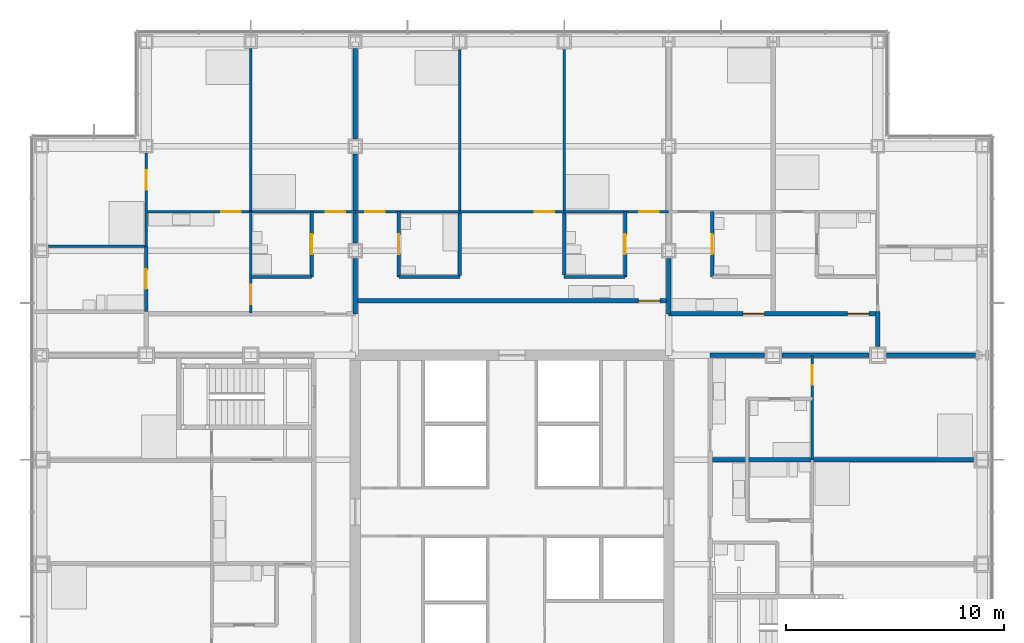
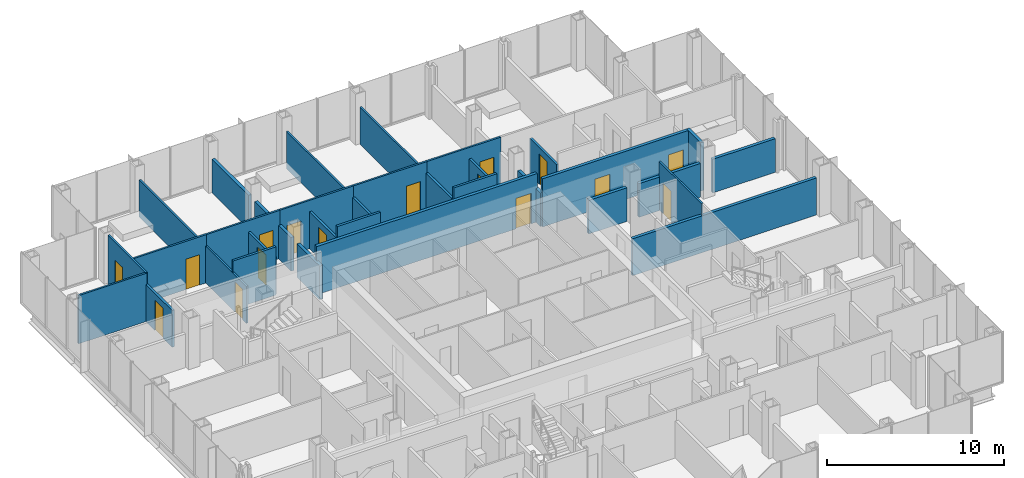
# One storey, part 17 of 21: 33 walls, 16 doors, 16 openings.
"""IFC4 building model written with IfcOpenShell, lengths in metres."""

from ifc_helpers import new_model, si_unit, direction, frame, frame_2d, origin, place, context, subcontext, project, spatial, rectangle, extrude, material, layer, layer_set, type_object, element, fill, save


model = new_model("IFC4")

# Units and contexts
model_context = context("Model", 3, precision=1e-05, world=origin(), true_north=direction((0.0, 1.0)))
body_context = subcontext(model_context, "Body", "Model", "MODEL_VIEW")
ifc_project = project(units=[si_unit("LENGTHUNIT", "METRE"), si_unit("AREAUNIT", "SQUARE_METRE"), si_unit("VOLUMEUNIT", "CUBIC_METRE"), si_unit("PLANEANGLEUNIT", "RADIAN"), si_unit("MASSUNIT", "GRAM", prefix="KILO")], contexts=[model_context])

# Site, building, storey
site_placement = place(None, origin())
site = spatial("IfcSite", under=ifc_project, at=site_placement, CompositionType="ELEMENT")
building_placement = place(site_placement, origin())
building = spatial("IfcBuilding", under=site, at=building_placement, Name="Kvirike Care Tower", CompositionType="ELEMENT")
storey_placement = place(building_placement, frame((0.0, 0.0, 44.5)))
storey = spatial("IfcBuildingStorey", under=building, at=storey_placement, Name="L11", CompositionType="ELEMENT", Elevation=44.5)

# Wall, opening, door
ifc_material_1 = material(Name="Moisture-resistant board partition", Category="gypsum")
ifc_layer_1 = layer(ifc_material_1, 0.14990234375)
ifc_layer_set_1 = layer_set([ifc_layer_1], Name="BATHROOM WALL 150")
wall_type_1 = type_object("IfcWallType", Name="BATHROOM WALL 150", PredefinedType="PARTITIONING", material=ifc_layer_set_1)
wall_1_placement = place(storey_placement, frame((12.39990234375, 49.800048828125, 0.0), z_axis=(0.0, 0.0, 1.0), x_axis=(0.0, -1.0, 0.0)))
wall_1 = element("IfcWall", 1, at=wall_1_placement, inside=storey, type_object=wall_type_1, Name="Bathroom Wall 150 L11", PredefinedType="PARTITIONING", context=body_context, shape_type="SweptSolid", body=[
    extrude(rectangle(XDim=3.0, YDim=0.14990234375, at=frame_2d((1.5, 0.0))), origin(), (0.0, 0.0, 1.0), 2.550048828125),
])
opening_1_placement = place(wall_1_placement, frame((1.050048828125, 0.0, 0.0)))
opening_1 = element("IfcOpeningElement", 2, at=opening_1_placement, cuts=wall_1, Name="Opening 11-017", PredefinedType="OPENING", context=body_context, shape_type="SweptSolid", body=[
    extrude(rectangle(XDim=0.89990234375, YDim=2.10009765625, at=frame_2d((0.449951171875, 1.050048828125))), frame((0.0, 0.08544921875, 0.0), z_axis=(0.0, -1.0, 0.0), x_axis=(1.0, 0.0, 0.0)), (0.0, 0.0, 1.0), 0.1708984375),
])
ifc_material_2 = material(Name="Timber door set", Category="wood")
door_type_1 = type_object("IfcDoorType", Name="BATHROOM DOOR 900", OperationType="SINGLE_SWING_RIGHT", PredefinedType="DOOR", material=ifc_material_2)
door_1_placement = place(opening_1_placement, frame((0.89990234375, 0.0, 0.0), z_axis=(0.0, 0.0, 1.0), x_axis=(-1.0, 0.0, 0.0)))
door_1 = element("IfcDoor", 3, at=door_1_placement, inside=storey, type_object=door_type_1, Name="Shower room door", OperationType="SINGLE_SWING_RIGHT", OverallHeight=2.10009765625, OverallWidth=0.89990234375, PredefinedType="DOOR", context=body_context, shape_type="SweptSolid", body=[
    extrude(rectangle(XDim=0.89990234375, YDim=2.10009765625, at=frame_2d((0.449951171875, 1.050048828125))), frame((0.0, 0.02197265625, 0.0), z_axis=(0.0, -1.0, 0.0), x_axis=(1.0, 0.0, 0.0)), (0.0, 0.0, 1.0), 0.0439453125),
])
fill(opening_1, door_1)

# Wall
wall_2_placement = place(storey_placement, frame((12.39990234375, 46.800048828125, 0.0), z_axis=(0.0, 0.0, 1.0), x_axis=(-1.0, 0.0, 0.0)))
element("IfcWall", 4, at=wall_2_placement, inside=storey, type_object=wall_type_1, Name="Bathroom Wall 150 L11", PredefinedType="PARTITIONING", context=body_context, shape_type="SweptSolid", body=[
    extrude(rectangle(XDim=2.7998046875, YDim=0.14990234375, at=frame_2d((1.39990234375, 0.0))), origin(), (0.0, 0.0, 1.0), 3.330078125),
])

# Wall, opening, door
wall_3_placement = place(storey_placement, frame((4.800048828125, 48.199951171875, 0.0), z_axis=(0.0, 0.0, 1.0), x_axis=(0.0, -1.0, 0.0)))
wall_3 = element("IfcWall", 5, at=wall_3_placement, inside=storey, type_object=wall_type_1, Name="Bathroom Wall 150 L11", PredefinedType="PARTITIONING", context=body_context, shape_type="SweptSolid", body=[
    extrude(rectangle(XDim=3.0, YDim=0.14990234375, at=frame_2d((1.5, 0.0))), origin(), (0.0, 0.0, 1.0), 2.550048828125),
])
opening_2_placement = place(wall_3_placement, frame((1.050048828125, 0.0, 0.0)))
opening_2 = element("IfcOpeningElement", 6, at=opening_2_placement, cuts=wall_3, Name="Opening 11-018", PredefinedType="OPENING", context=body_context, shape_type="SweptSolid", body=[
    extrude(rectangle(XDim=0.89990234375, YDim=2.10009765625, at=frame_2d((0.449951171875, 1.050048828125))), frame((0.0, 0.08544921875, 0.0), z_axis=(0.0, -1.0, 0.0), x_axis=(1.0, 0.0, 0.0)), (0.0, 0.0, 1.0), 0.1708984375),
])
door_2_placement = place(opening_2_placement, frame((0.89990234375, 0.0, 0.0), z_axis=(0.0, 0.0, 1.0), x_axis=(-1.0, 0.0, 0.0)))
door_2 = element("IfcDoor", 7, at=door_2_placement, inside=storey, type_object=door_type_1, Name="Bathroom door", OperationType="SINGLE_SWING_LEFT", OverallHeight=2.10009765625, OverallWidth=0.89990234375, PredefinedType="DOOR", context=body_context, shape_type="SweptSolid", body=[
    extrude(rectangle(XDim=0.89990234375, YDim=2.10009765625, at=frame_2d((0.449951171875, 1.050048828125))), frame((0.0, 0.02197265625, 0.0), z_axis=(0.0, -1.0, 0.0), x_axis=(1.0, 0.0, 0.0)), (0.0, 0.0, 1.0), 0.0439453125),
])
fill(opening_2, door_2)

wall_4_placement = place(storey_placement, frame((26.800048828125, 49.800048828125, 0.0), z_axis=(0.0, 0.0, 1.0), x_axis=(0.0, -1.0, 0.0)))
wall_4 = element("IfcWall", 8, at=wall_4_placement, inside=storey, type_object=wall_type_1, Name="Bathroom Wall 150 L11", PredefinedType="PARTITIONING", context=body_context, shape_type="SweptSolid", body=[
    extrude(rectangle(XDim=3.0, YDim=0.14990234375, at=frame_2d((1.5, 0.0))), origin(), (0.0, 0.0, 1.0), 2.550048828125),
])
opening_3_placement = place(wall_4_placement, frame((1.050048828125, 0.0, 0.0)))
opening_3 = element("IfcOpeningElement", 9, at=opening_3_placement, cuts=wall_4, Name="Opening 11-033", PredefinedType="OPENING", context=body_context, shape_type="SweptSolid", body=[
    extrude(rectangle(XDim=0.89990234375, YDim=2.10009765625, at=frame_2d((0.449951171875, 1.050048828125))), frame((0.0, 0.08544921875, 0.0), z_axis=(0.0, -1.0, 0.0), x_axis=(1.0, 0.0, 0.0)), (0.0, 0.0, 1.0), 0.1708984375),
])
door_3_placement = place(opening_3_placement, frame((0.89990234375, 0.0, 0.0), z_axis=(0.0, 0.0, 1.0), x_axis=(-1.0, 0.0, 0.0)))
door_3 = element("IfcDoor", 10, at=door_3_placement, inside=storey, type_object=door_type_1, Name="Shower room door", OperationType="SINGLE_SWING_LEFT", OverallHeight=2.10009765625, OverallWidth=0.89990234375, PredefinedType="DOOR", context=body_context, shape_type="SweptSolid", body=[
    extrude(rectangle(XDim=0.89990234375, YDim=2.10009765625, at=frame_2d((0.449951171875, 1.050048828125))), frame((0.0, 0.02197265625, 0.0), z_axis=(0.0, -1.0, 0.0), x_axis=(1.0, 0.0, 0.0)), (0.0, 0.0, 1.0), 0.0439453125),
])
fill(opening_3, door_3)

# Wall
wall_5_placement = place(storey_placement, frame((26.800048828125, 46.800048828125, 0.0), z_axis=(0.0, 0.0, 1.0), x_axis=(-1.0, 0.0, 0.0)))
element("IfcWall", 11, at=wall_5_placement, inside=storey, type_object=wall_type_1, Name="Bathroom Wall 150 L11", PredefinedType="PARTITIONING", context=body_context, shape_type="SweptSolid", body=[
    extrude(rectangle(XDim=2.800048828125, YDim=0.14990234375, at=frame_2d((1.39990234375, 0.0))), origin(), (0.0, 0.0, 1.0), 3.330078125),
])

# Wall, opening, door
wall_6_placement = place(storey_placement, frame((16.39990234375, 49.800048828125, 0.0), z_axis=(0.0, 0.0, 1.0), x_axis=(0.0, -1.0, 0.0)))
wall_6 = element("IfcWall", 12, at=wall_6_placement, inside=storey, type_object=wall_type_1, Name="Bathroom Wall 150 L11", PredefinedType="PARTITIONING", context=body_context, shape_type="SweptSolid", body=[
    extrude(rectangle(XDim=3.0, YDim=0.14990234375, at=frame_2d((1.5, 0.0))), origin(), (0.0, 0.0, 1.0), 2.550048828125),
])
opening_4_placement = place(wall_6_placement, frame((1.050048828125, 0.0, 0.0)))
opening_4 = element("IfcOpeningElement", 13, at=opening_4_placement, cuts=wall_6, Name="Opening 11-034", PredefinedType="OPENING", context=body_context, shape_type="SweptSolid", body=[
    extrude(rectangle(XDim=0.89990234375, YDim=2.10009765625, at=frame_2d((0.449951171875, 1.050048828125))), frame((0.0, 0.08544921875, 0.0), z_axis=(0.0, -1.0, 0.0), x_axis=(1.0, 0.0, 0.0)), (0.0, 0.0, 1.0), 0.1708984375),
])
door_4_placement = place(opening_4_placement, origin())
door_4 = element("IfcDoor", 14, at=door_4_placement, inside=storey, type_object=door_type_1, Name="Bathroom door", OperationType="SINGLE_SWING_LEFT", OverallHeight=2.10009765625, OverallWidth=0.89990234375, PredefinedType="DOOR", context=body_context, shape_type="SweptSolid", body=[
    extrude(rectangle(XDim=0.89990234375, YDim=2.10009765625, at=frame_2d((0.449951171875, 1.050048828125))), frame((0.0, 0.02197265625, 0.0), z_axis=(0.0, -1.0, 0.0), x_axis=(1.0, 0.0, 0.0)), (0.0, 0.0, 1.0), 0.0439453125),
])
fill(opening_4, door_4)

# Wall
wall_7_placement = place(storey_placement, frame((19.199951171875, 46.800048828125, 0.0), z_axis=(0.0, 0.0, 1.0), x_axis=(-1.0, 0.0, 0.0)))
element("IfcWall", 15, at=wall_7_placement, inside=storey, type_object=wall_type_1, Name="Bathroom Wall 150 L11", PredefinedType="PARTITIONING", context=body_context, shape_type="SweptSolid", body=[
    extrude(rectangle(XDim=2.800048828125, YDim=0.14990234375, at=frame_2d((1.39990234375, 0.0))), origin(), (0.0, 0.0, 1.0), 3.330078125),
])

# Wall, opening, door
wall_8_placement = place(storey_placement, frame((30.800048828125, 49.800048828125, 0.0), z_axis=(0.0, 0.0, 1.0), x_axis=(0.0, -1.0, 0.0)))
wall_8 = element("IfcWall", 16, at=wall_8_placement, inside=storey, type_object=wall_type_1, Name="Bathroom Wall 150 L11", PredefinedType="PARTITIONING", context=body_context, shape_type="SweptSolid", body=[
    extrude(rectangle(XDim=3.0, YDim=0.14990234375, at=frame_2d((1.5, 0.0))), origin(), (0.0, 0.0, 1.0), 2.550048828125),
])
opening_5_placement = place(wall_8_placement, frame((1.050048828125, 0.0, 0.0)))
opening_5 = element("IfcOpeningElement", 17, at=opening_5_placement, cuts=wall_8, Name="Opening 11-060", PredefinedType="OPENING", context=body_context, shape_type="SweptSolid", body=[
    extrude(rectangle(XDim=0.89990234375, YDim=2.10009765625, at=frame_2d((0.449951171875, 1.050048828125))), frame((0.0, 0.08544921875, 0.0), z_axis=(0.0, -1.0, 0.0), x_axis=(1.0, 0.0, 0.0)), (0.0, 0.0, 1.0), 0.1708984375),
])
door_5_placement = place(opening_5_placement, origin())
door_5 = element("IfcDoor", 18, at=door_5_placement, inside=storey, type_object=door_type_1, Name="Bathroom door", OperationType="SINGLE_SWING_LEFT", OverallHeight=2.10009765625, OverallWidth=0.89990234375, PredefinedType="DOOR", context=body_context, shape_type="SweptSolid", body=[
    extrude(rectangle(XDim=0.89990234375, YDim=2.10009765625, at=frame_2d((0.449951171875, 1.050048828125))), frame((0.0, 0.02197265625, 0.0), z_axis=(0.0, -1.0, 0.0), x_axis=(1.0, 0.0, 0.0)), (0.0, 0.0, 1.0), 0.0439453125),
])
fill(opening_5, door_5)

# Walls
for number, where, z_axis, x_axis, name in (
    (19, (24.0, 46.875, 0.0), (0.0, 0.0, 1.0), (0.0, 1.0, 0.0), "Bathroom Wall 150 L11"),
    (20, (19.199951171875, 49.739990234375, 0.0), (0.0, 0.0, 1.0), (0.0, -1.0, 0.0), "Bathroom Wall 150 L11"),
):
    element("IfcWall", number, at=place(storey_placement, frame(where, z_axis=z_axis, x_axis=x_axis)), inside=storey, type_object=wall_type_1, Name=name, PredefinedType="PARTITIONING", context=body_context, shape_type="SweptSolid", body=[
        extrude(rectangle(XDim=2.864990234375, YDim=0.14990234375, at=frame_2d((1.4326171875, 0.0))), origin(), (0.0, 0.0, 1.0), 2.550048828125),
    ])

# Wall, opening, door
ifc_material_3 = material(Name="Plasterboard corridor wall", Category="gypsum")
ifc_layer_2 = layer(ifc_material_3, 0.199951171875)
ifc_layer_set_2 = layer_set([ifc_layer_2], Name="CORRIDOR WALL 200")
wall_type_2 = type_object("IfcWallType", Name="CORRIDOR WALL 200", PredefinedType="PARTITIONING", material=ifc_layer_set_2)
wall_9_placement = place(storey_placement, frame((28.800048828125, 45.699951171875, 0.0), z_axis=(0.0, 0.0, 1.0), x_axis=(-1.0, 0.0, 0.0)))
wall_9 = element("IfcWall", 21, at=wall_9_placement, inside=storey, type_object=wall_type_2, Name="Corridor Wall 200 L11", PredefinedType="PARTITIONING", context=body_context, shape_type="SweptSolid", body=[
    extrude(rectangle(XDim=14.400146484375, YDim=0.199951171875, at=frame_2d((7.2001953125, 0.0))), origin(), (0.0, 0.0, 1.0), 3.330078125),
])
opening_6_placement = place(wall_9_placement, frame((0.39990234375, 0.0, 0.0)))
opening_6 = element("IfcOpeningElement", 22, at=opening_6_placement, cuts=wall_9, Name="Opening 11-038", PredefinedType="OPENING", context=body_context, shape_type="SweptSolid", body=[
    extrude(rectangle(XDim=1.0, YDim=2.10009765625, at=frame_2d((0.5, 1.050048828125))), frame((0.0, 0.110595703125, 0.0), z_axis=(0.0, -1.0, 0.0), x_axis=(1.0, 0.0, 0.0)), (0.0, 0.0, 1.0), 0.220947265625),
])
ifc_material_4 = material(Name="Timber door set", Category="wood")
door_type_2 = type_object("IfcDoorType", Name="FLAT ENTRANCE DOOR 1000", OperationType="SINGLE_SWING_LEFT", PredefinedType="DOOR", material=ifc_material_4)
door_6_placement = place(opening_6_placement, frame((1.0, 0.0, 0.0), z_axis=(0.0, 0.0, 1.0), x_axis=(-1.0, 0.0, 0.0)))
door_6 = element("IfcDoor", 23, at=door_6_placement, inside=storey, type_object=door_type_2, Name="Two-bedroom apartment entrance", OperationType="SINGLE_SWING_LEFT", OverallHeight=2.10009765625, OverallWidth=1.0, PredefinedType="DOOR", context=body_context, shape_type="SweptSolid", body=[
    extrude(rectangle(XDim=1.0, YDim=2.10009765625, at=frame_2d((0.5, 1.050048828125))), frame((0.0, 0.02685546875, 0.0), z_axis=(0.0, -1.0, 0.0), x_axis=(1.0, 0.0, 0.0)), (0.0, 0.0, 1.0), 0.053955078125),
])
fill(opening_6, door_6)

# Wall, openings, doors
wall_10_placement = place(storey_placement, frame((38.39990234375, 45.10009765625, 0.0), z_axis=(0.0, 0.0, 1.0), x_axis=(-1.0, 0.0, 0.0)))
wall_10 = element("IfcWall", 24, at=wall_10_placement, inside=storey, type_object=wall_type_2, Name="Corridor Wall 200 L11", PredefinedType="PARTITIONING", context=body_context, shape_type="SweptSolid", body=[
    extrude(rectangle(XDim=9.599853515625, YDim=0.199951171875, at=frame_2d((4.7998046875, 0.0))), origin(), (0.0, 0.0, 1.0), 3.330078125),
])
opening_7_placement = place(wall_10_placement, frame((0.39990234375, 0.0, 0.0)))
opening_7 = element("IfcOpeningElement", 25, at=opening_7_placement, cuts=wall_10, Name="Opening 11-062", PredefinedType="OPENING", context=body_context, shape_type="SweptSolid", body=[
    extrude(rectangle(XDim=1.0, YDim=2.10009765625, at=frame_2d((0.5, 1.050048828125))), frame((0.0, 0.110595703125, 0.0), z_axis=(0.0, -1.0, 0.0), x_axis=(1.0, 0.0, 0.0)), (0.0, 0.0, 1.0), 0.220947265625),
])
opening_8_placement = place(wall_10_placement, frame((5.199951171875, 0.0, 0.0)))
opening_8 = element("IfcOpeningElement", 26, at=opening_8_placement, cuts=wall_10, Name="Opening 11-063", PredefinedType="OPENING", context=body_context, shape_type="SweptSolid", body=[
    extrude(rectangle(XDim=1.0, YDim=2.10009765625, at=frame_2d((0.5, 1.050048828125))), frame((0.0, 0.110595703125, 0.0), z_axis=(0.0, -1.0, 0.0), x_axis=(1.0, 0.0, 0.0)), (0.0, 0.0, 1.0), 0.220947265625),
])
door_7_placement = place(opening_7_placement, frame((1.0, 0.0, 0.0), z_axis=(0.0, 0.0, 1.0), x_axis=(-1.0, 0.0, 0.0)))
door_7 = element("IfcDoor", 27, at=door_7_placement, inside=storey, type_object=door_type_2, Name="One-bedroom apartment entrance", OperationType="SINGLE_SWING_LEFT", OverallHeight=2.10009765625, OverallWidth=1.0, PredefinedType="DOOR", context=body_context, shape_type="SweptSolid", body=[
    extrude(rectangle(XDim=1.0, YDim=2.10009765625, at=frame_2d((0.5, 1.050048828125))), frame((0.0, 0.02685546875, 0.0), z_axis=(0.0, -1.0, 0.0), x_axis=(1.0, 0.0, 0.0)), (0.0, 0.0, 1.0), 0.053955078125),
])
fill(opening_7, door_7)
door_8_placement = place(opening_8_placement, frame((1.0, 0.0, 0.0), z_axis=(0.0, 0.0, 1.0), x_axis=(-1.0, 0.0, 0.0)))
door_8 = element("IfcDoor", 28, at=door_8_placement, inside=storey, type_object=door_type_2, Name="Studio apartment entrance", OperationType="SINGLE_SWING_LEFT", OverallHeight=2.10009765625, OverallWidth=1.0, PredefinedType="DOOR", context=body_context, shape_type="SweptSolid", body=[
    extrude(rectangle(XDim=1.0, YDim=2.10009765625, at=frame_2d((0.5, 1.050048828125))), frame((0.0, 0.02685546875, 0.0), z_axis=(0.0, -1.0, 0.0), x_axis=(1.0, 0.0, 0.0)), (0.0, 0.0, 1.0), 0.053955078125),
])
fill(opening_8, door_8)

# Wall
wall_11_placement = place(storey_placement, frame((38.39990234375, 45.199951171875, 0.0), z_axis=(0.0, 0.0, 1.0), x_axis=(0.0, -1.0, 0.0)))
element("IfcWall", 29, at=wall_11_placement, inside=storey, type_object=wall_type_2, Name="Corridor Wall 200 L11", PredefinedType="PARTITIONING", context=body_context, shape_type="SweptSolid", body=[
    extrude(rectangle(XDim=1.60498046875, YDim=0.199951171875, at=frame_2d((0.802490234375, 0.0))), origin(), (0.0, 0.0, 1.0), 3.330078125),
])

# Wall, opening, door
ifc_material_5 = material(Name="Plasterboard partition", Category="gypsum")
ifc_layer_3 = layer(ifc_material_5, 0.1201171875)
ifc_layer_set_3 = layer_set([ifc_layer_3], Name="PARTITION 120")
wall_type_3 = type_object("IfcWallType", Name="PARTITION 120", PredefinedType="PARTITIONING", material=ifc_layer_set_3)
wall_12_placement = place(storey_placement, frame((9.60009765625, 49.800048828125, 0.0), z_axis=(0.0, 0.0, 1.0), x_axis=(0.0, -1.0, 0.0)))
wall_12 = element("IfcWall", 30, at=wall_12_placement, inside=storey, type_object=wall_type_3, Name="Partition 120 L11", PredefinedType="PARTITIONING", context=body_context, shape_type="SweptSolid", body=[
    extrude(rectangle(XDim=4.650146484375, YDim=0.1201171875, at=frame_2d((2.3251953125, 0.0))), origin(), (0.0, 0.0, 1.0), 2.550048828125),
])
opening_9_placement = place(wall_12_placement, frame((3.35009765625, 0.0, 0.0)))
opening_9 = element("IfcOpeningElement", 31, at=opening_9_placement, cuts=wall_12, Name="Opening 11-019", PredefinedType="OPENING", context=body_context, shape_type="SweptSolid", body=[
    extrude(rectangle(XDim=0.89990234375, YDim=2.10009765625, at=frame_2d((0.449951171875, 1.050048828125))), frame((0.0, 0.070556640625, 0.0), z_axis=(0.0, -1.0, 0.0), x_axis=(1.0, 0.0, 0.0)), (0.0, 0.0, 1.0), 0.14111328125),
])
ifc_material_6 = material(Name="Timber door set", Category="wood")
door_type_3 = type_object("IfcDoorType", Name="INTERNAL DOOR 900", OperationType="SINGLE_SWING_LEFT", PredefinedType="DOOR", material=ifc_material_6)
door_9_placement = place(opening_9_placement, origin())
door_9 = element("IfcDoor", 32, at=door_9_placement, inside=storey, type_object=door_type_3, Name="Hall door", OperationType="SINGLE_SWING_LEFT", OverallHeight=2.10009765625, OverallWidth=0.89990234375, PredefinedType="DOOR", context=body_context, shape_type="SweptSolid", body=[
    extrude(rectangle(XDim=0.89990234375, YDim=2.10009765625, at=frame_2d((0.449951171875, 1.050048828125))), frame((0.0, 0.02197265625, 0.0), z_axis=(0.0, -1.0, 0.0), x_axis=(1.0, 0.0, 0.0)), (0.0, 0.0, 1.0), 0.0439453125),
])
fill(opening_9, door_9)

wall_13_placement = place(storey_placement, frame((14.39990234375, 49.800048828125, 0.0), z_axis=(0.0, 0.0, 1.0), x_axis=(-1.0, 0.0, 0.0)))
wall_13 = element("IfcWall", 33, at=wall_13_placement, inside=storey, type_object=wall_type_3, Name="Partition 120 L11", PredefinedType="PARTITIONING", context=body_context, shape_type="SweptSolid", body=[
    extrude(rectangle(XDim=4.7998046875, YDim=0.1201171875, at=frame_2d((2.39990234375, 0.0))), origin(), (0.0, 0.0, 1.0), 3.330078125),
])
opening_10_placement = place(wall_13_placement, frame((0.449951171875, 0.0, 0.0)))
opening_10 = element("IfcOpeningElement", 34, at=opening_10_placement, cuts=wall_13, Name="Opening 11-020", PredefinedType="OPENING", context=body_context, shape_type="SweptSolid", body=[
    extrude(rectangle(XDim=0.89990234375, YDim=2.10009765625, at=frame_2d((0.449951171875, 1.050048828125))), frame((0.0, 0.070556640625, 0.0), z_axis=(0.0, -1.0, 0.0), x_axis=(1.0, 0.0, 0.0)), (0.0, 0.0, 1.0), 0.14111328125),
])
door_10_placement = place(opening_10_placement, origin())
door_10 = element("IfcDoor", 35, at=door_10_placement, inside=storey, type_object=door_type_3, Name="Apartment bedroom door", OperationType="SINGLE_SWING_RIGHT", OverallHeight=2.10009765625, OverallWidth=0.89990234375, PredefinedType="DOOR", context=body_context, shape_type="SweptSolid", body=[
    extrude(rectangle(XDim=0.89990234375, YDim=2.10009765625, at=frame_2d((0.449951171875, 1.050048828125))), frame((0.0, 0.02197265625, 0.0), z_axis=(0.0, -1.0, 0.0), x_axis=(1.0, 0.0, 0.0)), (0.0, 0.0, 1.0), 0.0439453125),
])
fill(opening_10, door_10)

wall_14_placement = place(storey_placement, frame((9.60009765625, 49.800048828125, 0.0), z_axis=(0.0, 0.0, 1.0), x_axis=(-1.0, 0.0, 0.0)))
wall_14 = element("IfcWall", 36, at=wall_14_placement, inside=storey, type_object=wall_type_3, Name="Partition 120 L11", PredefinedType="PARTITIONING", context=body_context, shape_type="SweptSolid", body=[
    extrude(rectangle(XDim=4.800048828125, YDim=0.1201171875, at=frame_2d((2.39990234375, 0.0))), origin(), (0.0, 0.0, 1.0), 3.330078125),
])
opening_11_placement = place(wall_14_placement, frame((0.449951171875, 0.0, 0.0)))
opening_11 = element("IfcOpeningElement", 37, at=opening_11_placement, cuts=wall_14, Name="Opening 11-021", PredefinedType="OPENING", context=body_context, shape_type="SweptSolid", body=[
    extrude(rectangle(XDim=0.89990234375, YDim=2.10009765625, at=frame_2d((0.449951171875, 1.050048828125))), frame((0.0, 0.070556640625, 0.0), z_axis=(0.0, -1.0, 0.0), x_axis=(1.0, 0.0, 0.0)), (0.0, 0.0, 1.0), 0.14111328125),
])
door_11_placement = place(opening_11_placement, origin())
door_11 = element("IfcDoor", 38, at=door_11_placement, inside=storey, type_object=door_type_3, Name="Apartment bedroom door", OperationType="SINGLE_SWING_RIGHT", OverallHeight=2.10009765625, OverallWidth=0.89990234375, PredefinedType="DOOR", context=body_context, shape_type="SweptSolid", body=[
    extrude(rectangle(XDim=0.89990234375, YDim=2.10009765625, at=frame_2d((0.449951171875, 1.050048828125))), frame((0.0, 0.02197265625, 0.0), z_axis=(0.0, -1.0, 0.0), x_axis=(1.0, 0.0, 0.0)), (0.0, 0.0, 1.0), 0.0439453125),
])
fill(opening_11, door_11)

# Walls
wall_15_placement = place(storey_placement, frame((4.800048828125, 48.199951171875, 0.0), z_axis=(0.0, 0.0, 1.0), x_axis=(-1.0, 0.0, 0.0)))
element("IfcWall", 39, at=wall_15_placement, inside=storey, type_object=wall_type_3, Name="Partition 120 L11", PredefinedType="PARTITIONING", context=body_context, shape_type="SweptSolid", body=[
    extrude(rectangle(XDim=4.47998046875, YDim=0.1201171875, at=frame_2d((2.239990234375, 0.0))), origin(), (0.0, 0.0, 1.0), 3.330078125),
])
wall_16_placement = place(storey_placement, frame((9.60009765625, 57.280029296875, 0.0), z_axis=(0.0, 0.0, 1.0), x_axis=(0.0, -1.0, 0.0)))
element("IfcWall", 40, at=wall_16_placement, inside=storey, type_object=wall_type_3, Name="Partition 120 L11", PredefinedType="PARTITIONING", context=body_context, shape_type="SweptSolid", body=[
    extrude(rectangle(XDim=7.47998046875, YDim=0.1201171875, at=frame_2d((3.739990234375, 0.0))), origin(), (0.0, 0.0, 1.0), 2.550048828125),
])

# Wall, opening, door
wall_17_placement = place(storey_placement, frame((4.800048828125, 52.47998046875, 0.0), z_axis=(0.0, 0.0, 1.0), x_axis=(0.0, -1.0, 0.0)))
wall_17 = element("IfcWall", 41, at=wall_17_placement, inside=storey, type_object=wall_type_3, Name="Partition 120 L11", PredefinedType="PARTITIONING", context=body_context, shape_type="SweptSolid", body=[
    extrude(rectangle(XDim=4.280029296875, YDim=0.1201171875, at=frame_2d((2.14013671875, 0.0))), origin(), (0.0, 0.0, 1.0), 3.330078125),
])
opening_12_placement = place(wall_17_placement, frame((0.780029296875, 0.0, 0.0)))
opening_12 = element("IfcOpeningElement", 42, at=opening_12_placement, cuts=wall_17, Name="Opening 11-022", PredefinedType="OPENING", context=body_context, shape_type="SweptSolid", body=[
    extrude(rectangle(XDim=0.89990234375, YDim=2.10009765625, at=frame_2d((0.449951171875, 1.050048828125))), frame((0.0, 0.070556640625, 0.0), z_axis=(0.0, -1.0, 0.0), x_axis=(1.0, 0.0, 0.0)), (0.0, 0.0, 1.0), 0.14111328125),
])
door_12_placement = place(opening_12_placement, frame((0.89990234375, 0.0, 0.0), z_axis=(0.0, 0.0, 1.0), x_axis=(-1.0, 0.0, 0.0)))
door_12 = element("IfcDoor", 43, at=door_12_placement, inside=storey, type_object=door_type_3, Name="Connecting door", OperationType="SINGLE_SWING_LEFT", OverallHeight=2.10009765625, OverallWidth=0.89990234375, PredefinedType="DOOR", context=body_context, shape_type="SweptSolid", body=[
    extrude(rectangle(XDim=0.89990234375, YDim=2.10009765625, at=frame_2d((0.449951171875, 1.050048828125))), frame((0.0, 0.02197265625, 0.0), z_axis=(0.0, -1.0, 0.0), x_axis=(1.0, 0.0, 0.0)), (0.0, 0.0, 1.0), 0.0439453125),
])
fill(opening_12, door_12)

wall_18_placement = place(storey_placement, frame((28.800048828125, 49.800048828125, 0.0), z_axis=(0.0, 0.0, 1.0), x_axis=(-1.0, 0.0, 0.0)))
wall_18 = element("IfcWall", 44, at=wall_18_placement, inside=storey, type_object=wall_type_3, Name="Partition 120 L11", PredefinedType="PARTITIONING", context=body_context, shape_type="SweptSolid", body=[
    extrude(rectangle(XDim=4.800048828125, YDim=0.1201171875, at=frame_2d((2.39990234375, 0.0))), origin(), (0.0, 0.0, 1.0), 3.330078125),
])
opening_13_placement = place(wall_18_placement, frame((0.449951171875, 0.0, 0.0)))
opening_13 = element("IfcOpeningElement", 45, at=opening_13_placement, cuts=wall_18, Name="Opening 11-035", PredefinedType="OPENING", context=body_context, shape_type="SweptSolid", body=[
    extrude(rectangle(XDim=0.89990234375, YDim=2.10009765625, at=frame_2d((0.449951171875, 1.050048828125))), frame((0.0, 0.070556640625, 0.0), z_axis=(0.0, -1.0, 0.0), x_axis=(1.0, 0.0, 0.0)), (0.0, 0.0, 1.0), 0.14111328125),
])
door_13_placement = place(opening_13_placement, frame((0.89990234375, 0.0, 0.0), z_axis=(0.0, 0.0, 1.0), x_axis=(-1.0, 0.0, 0.0)))
door_13 = element("IfcDoor", 46, at=door_13_placement, inside=storey, type_object=door_type_3, Name="Apartment bedroom door", OperationType="SINGLE_SWING_LEFT", OverallHeight=2.10009765625, OverallWidth=0.89990234375, PredefinedType="DOOR", context=body_context, shape_type="SweptSolid", body=[
    extrude(rectangle(XDim=0.89990234375, YDim=2.10009765625, at=frame_2d((0.449951171875, 1.050048828125))), frame((0.0, 0.02197265625, 0.0), z_axis=(0.0, -1.0, 0.0), x_axis=(1.0, 0.0, 0.0)), (0.0, 0.0, 1.0), 0.0439453125),
])
fill(opening_13, door_13)

wall_19_placement = place(storey_placement, frame((24.0, 49.800048828125, 0.0), z_axis=(0.0, 0.0, 1.0), x_axis=(-1.0, 0.0, 0.0)))
wall_19 = element("IfcWall", 47, at=wall_19_placement, inside=storey, type_object=wall_type_3, Name="Partition 120 L11", PredefinedType="PARTITIONING", context=body_context, shape_type="SweptSolid", body=[
    extrude(rectangle(XDim=4.800048828125, YDim=0.1201171875, at=frame_2d((2.39990234375, 0.0))), origin(), (0.0, 0.0, 1.0), 3.330078125),
])
opening_14_placement = place(wall_19_placement, frame((0.449951171875, 0.0, 0.0)))
opening_14 = element("IfcOpeningElement", 48, at=opening_14_placement, cuts=wall_19, Name="Opening 11-036", PredefinedType="OPENING", context=body_context, shape_type="SweptSolid", body=[
    extrude(rectangle(XDim=0.89990234375, YDim=2.10009765625, at=frame_2d((0.449951171875, 1.050048828125))), frame((0.0, 0.070556640625, 0.0), z_axis=(0.0, -1.0, 0.0), x_axis=(1.0, 0.0, 0.0)), (0.0, 0.0, 1.0), 0.14111328125),
])
door_14_placement = place(opening_14_placement, frame((0.89990234375, 0.0, 0.0), z_axis=(0.0, 0.0, 1.0), x_axis=(-1.0, 0.0, 0.0)))
door_14 = element("IfcDoor", 49, at=door_14_placement, inside=storey, type_object=door_type_3, Name="Apartment living room door", OperationType="SINGLE_SWING_RIGHT", OverallHeight=2.10009765625, OverallWidth=0.89990234375, PredefinedType="DOOR", context=body_context, shape_type="SweptSolid", body=[
    extrude(rectangle(XDim=0.89990234375, YDim=2.10009765625, at=frame_2d((0.449951171875, 1.050048828125))), frame((0.0, 0.02197265625, 0.0), z_axis=(0.0, -1.0, 0.0), x_axis=(1.0, 0.0, 0.0)), (0.0, 0.0, 1.0), 0.0439453125),
])
fill(opening_14, door_14)

wall_20_placement = place(storey_placement, frame((19.199951171875, 49.800048828125, 0.0), z_axis=(0.0, 0.0, 1.0), x_axis=(-1.0, 0.0, 0.0)))
wall_20 = element("IfcWall", 50, at=wall_20_placement, inside=storey, type_object=wall_type_3, Name="Partition 120 L11", PredefinedType="PARTITIONING", context=body_context, shape_type="SweptSolid", body=[
    extrude(rectangle(XDim=4.800048828125, YDim=0.1201171875, at=frame_2d((2.39990234375, 0.0))), origin(), (0.0, 0.0, 1.0), 3.330078125),
])
opening_15_placement = place(wall_20_placement, frame((3.449951171875, 0.0, 0.0)))
opening_15 = element("IfcOpeningElement", 51, at=opening_15_placement, cuts=wall_20, Name="Opening 11-037", PredefinedType="OPENING", context=body_context, shape_type="SweptSolid", body=[
    extrude(rectangle(XDim=0.89990234375, YDim=2.10009765625, at=frame_2d((0.449951171875, 1.050048828125))), frame((0.0, 0.070556640625, 0.0), z_axis=(0.0, -1.0, 0.0), x_axis=(1.0, 0.0, 0.0)), (0.0, 0.0, 1.0), 0.14111328125),
])
door_15_placement = place(opening_15_placement, frame((0.89990234375, 0.0, 0.0), z_axis=(0.0, 0.0, 1.0), x_axis=(-1.0, 0.0, 0.0)))
door_15 = element("IfcDoor", 52, at=door_15_placement, inside=storey, type_object=door_type_3, Name="Apartment bedroom door", OperationType="SINGLE_SWING_RIGHT", OverallHeight=2.10009765625, OverallWidth=0.89990234375, PredefinedType="DOOR", context=body_context, shape_type="SweptSolid", body=[
    extrude(rectangle(XDim=0.89990234375, YDim=2.10009765625, at=frame_2d((0.449951171875, 1.050048828125))), frame((0.0, 0.02197265625, 0.0), z_axis=(0.0, -1.0, 0.0), x_axis=(1.0, 0.0, 0.0)), (0.0, 0.0, 1.0), 0.0439453125),
])
fill(opening_15, door_15)

# Walls
for number, where, z_axis, x_axis, name in (
    (53, (24.0, 57.2548828125, 0.0), (0.0, 0.0, 1.0), (0.0, -1.0, 0.0), "Partition 120 L11"),
    (54, (19.199951171875, 57.2548828125, 0.0), (0.0, 0.0, 1.0), (0.0, -1.0, 0.0), "Partition 120 L11"),
):
    element("IfcWall", number, at=place(storey_placement, frame(where, z_axis=z_axis, x_axis=x_axis)), inside=storey, type_object=wall_type_3, Name=name, PredefinedType="PARTITIONING", context=body_context, shape_type="SweptSolid", body=[
        extrude(rectangle(XDim=7.454833984375, YDim=0.1201171875, at=frame_2d((3.7275390625, 0.0))), origin(), (0.0, 0.0, 1.0), 2.550048828125),
    ])

# Wall, opening, door
wall_21_placement = place(storey_placement, frame((35.39990234375, 38.39990234375, 0.0), z_axis=(0.0, 0.0, 1.0), x_axis=(0.0, 1.0, 0.0)))
wall_21 = element("IfcWall", 55, at=wall_21_placement, inside=storey, type_object=wall_type_3, Name="Partition 120 L11", PredefinedType="PARTITIONING", context=body_context, shape_type="SweptSolid", body=[
    extrude(rectangle(XDim=4.800048828125, YDim=0.1201171875, at=frame_2d((2.39990234375, 0.0))), origin(), (0.0, 0.0, 1.0), 3.330078125),
])
opening_16_placement = place(wall_21_placement, frame((3.449951171875, 0.0, 0.0)))
opening_16 = element("IfcOpeningElement", 56, at=opening_16_placement, cuts=wall_21, Name="Opening 11-051", PredefinedType="OPENING", context=body_context, shape_type="SweptSolid", body=[
    extrude(rectangle(XDim=0.89990234375, YDim=2.10009765625, at=frame_2d((0.449951171875, 1.050048828125))), frame((0.0, 0.070556640625, 0.0), z_axis=(0.0, -1.0, 0.0), x_axis=(1.0, 0.0, 0.0)), (0.0, 0.0, 1.0), 0.14111328125),
])
door_16_placement = place(opening_16_placement, origin())
door_16 = element("IfcDoor", 57, at=door_16_placement, inside=storey, type_object=door_type_3, Name="Studio apartment living room door", OperationType="SINGLE_SWING_LEFT", OverallHeight=2.10009765625, OverallWidth=0.89990234375, PredefinedType="DOOR", context=body_context, shape_type="SweptSolid", body=[
    extrude(rectangle(XDim=0.89990234375, YDim=2.10009765625, at=frame_2d((0.449951171875, 1.050048828125))), frame((0.0, 0.02197265625, 0.0), z_axis=(0.0, -1.0, 0.0), x_axis=(1.0, 0.0, 0.0)), (0.0, 0.0, 1.0), 0.0439453125),
])
fill(opening_16, door_16)

# Walls
ifc_material_7 = material(Name="Plasterboard party wall", Category="gypsum")
ifc_layer_4 = layer(ifc_material_7, 0.199951171875)
ifc_layer_set_4 = layer_set([ifc_layer_4], Name="PARTY WALL 200")
wall_type_4 = type_object("IfcWallType", Name="PARTY WALL 200", PredefinedType="PARTITIONING", material=ifc_layer_set_4)
wall_22_placement = place(storey_placement, frame((42.804931640625, 38.39990234375, 0.0), z_axis=(0.0, 0.0, 1.0), x_axis=(-1.0, 0.0, 0.0)))
element("IfcWall", 58, at=wall_22_placement, inside=storey, type_object=wall_type_4, Name="Party Wall 200 L11", PredefinedType="PARTITIONING", context=body_context, shape_type="SweptSolid", body=[
    extrude(rectangle(XDim=12.0048828125, YDim=0.199951171875, at=frame_2d((6.00244140625, 0.0))), origin(), (0.0, 0.0, 1.0), 2.550048828125),
])
wall_23_placement = place(storey_placement, frame((14.39990234375, 45.10009765625, 0.0), z_axis=(0.0, 0.0, 1.0), x_axis=(0.0, 1.0, 0.0)))
element("IfcWall", 59, at=wall_23_placement, inside=storey, type_object=wall_type_4, Name="Party Wall 200 L11", PredefinedType="PARTITIONING", context=body_context, shape_type="SweptSolid", body=[
    extrude(rectangle(XDim=2.554931640625, YDim=0.199951171875, at=frame_2d((1.27734375, 0.0))), origin(), (0.0, 0.0, 1.0), 2.320068359375),
])
wall_24_placement = place(storey_placement, frame((14.39990234375, 48.344970703125, 0.0), z_axis=(0.0, 0.0, 1.0), x_axis=(0.0, 1.0, 0.0)))
element("IfcWall", 60, at=wall_24_placement, inside=storey, type_object=wall_type_4, Name="Party Wall 200 L11", PredefinedType="PARTITIONING", context=body_context, shape_type="SweptSolid", body=[
    extrude(rectangle(XDim=4.110107421875, YDim=0.199951171875, at=frame_2d((2.05517578125, 0.0))), origin(), (0.0, 0.0, 1.0), 2.320068359375),
])
wall_25_placement = place(storey_placement, frame((14.39990234375, 53.14501953125, 0.0), z_axis=(0.0, 0.0, 1.0), x_axis=(0.0, 1.0, 0.0)))
element("IfcWall", 61, at=wall_25_placement, inside=storey, type_object=wall_type_4, Name="Party Wall 200 L11", PredefinedType="PARTITIONING", context=body_context, shape_type="SweptSolid", body=[
    extrude(rectangle(XDim=4.135009765625, YDim=0.199951171875, at=frame_2d((2.0673828125, 0.0))), origin(), (0.0, 0.0, 1.0), 2.320068359375),
])
wall_26_placement = place(storey_placement, frame((28.800048828125, 45.10009765625, 0.0), z_axis=(0.0, 0.0, 1.0), x_axis=(0.0, 1.0, 0.0)))
element("IfcWall", 62, at=wall_26_placement, inside=storey, type_object=wall_type_4, Name="Party Wall 200 L11", PredefinedType="PARTITIONING", context=body_context, shape_type="SweptSolid", body=[
    extrude(rectangle(XDim=2.554931640625, YDim=0.199951171875, at=frame_2d((1.27734375, 0.0))), origin(), (0.0, 0.0, 1.0), 2.320068359375),
])
wall_27_placement = place(storey_placement, frame((42.8955078125, 43.199951171875, 0.0), z_axis=(0.0, 0.0, 1.0), x_axis=(-1.0, 0.0, 0.0)))
element("IfcWall", 63, at=wall_27_placement, inside=storey, type_object=wall_type_4, Name="Party Wall 200 L11", PredefinedType="PARTITIONING", context=body_context, shape_type="SweptSolid", body=[
    extrude(rectangle(XDim=4.1005859375, YDim=0.199951171875, at=frame_2d((2.05029296875, 0.0))), origin(), (0.0, 0.0, 1.0), 2.320068359375),
])
wall_28_placement = place(storey_placement, frame((38.0048828125, 43.199951171875, 0.0), z_axis=(0.0, 0.0, 1.0), x_axis=(-1.0, 0.0, 0.0)))
element("IfcWall", 64, at=wall_28_placement, inside=storey, type_object=wall_type_4, Name="Party Wall 200 L11", PredefinedType="PARTITIONING", context=body_context, shape_type="SweptSolid", body=[
    extrude(rectangle(XDim=4.009765625, YDim=0.199951171875, at=frame_2d((2.0048828125, 0.0))), origin(), (0.0, 0.0, 1.0), 2.320068359375),
])
wall_29_placement = place(storey_placement, frame((33.205078125, 43.199951171875, 0.0), z_axis=(0.0, 0.0, 1.0), x_axis=(-1.0, 0.0, 0.0)))
element("IfcWall", 65, at=wall_29_placement, inside=storey, type_object=wall_type_4, Name="Party Wall 200 L11", PredefinedType="PARTITIONING", context=body_context, shape_type="SweptSolid", body=[
    extrude(rectangle(XDim=2.505126953125, YDim=0.199951171875, at=frame_2d((1.25244140625, 0.0))), origin(), (0.0, 0.0, 1.0), 2.320068359375),
])

save(model, "model.ifc")
